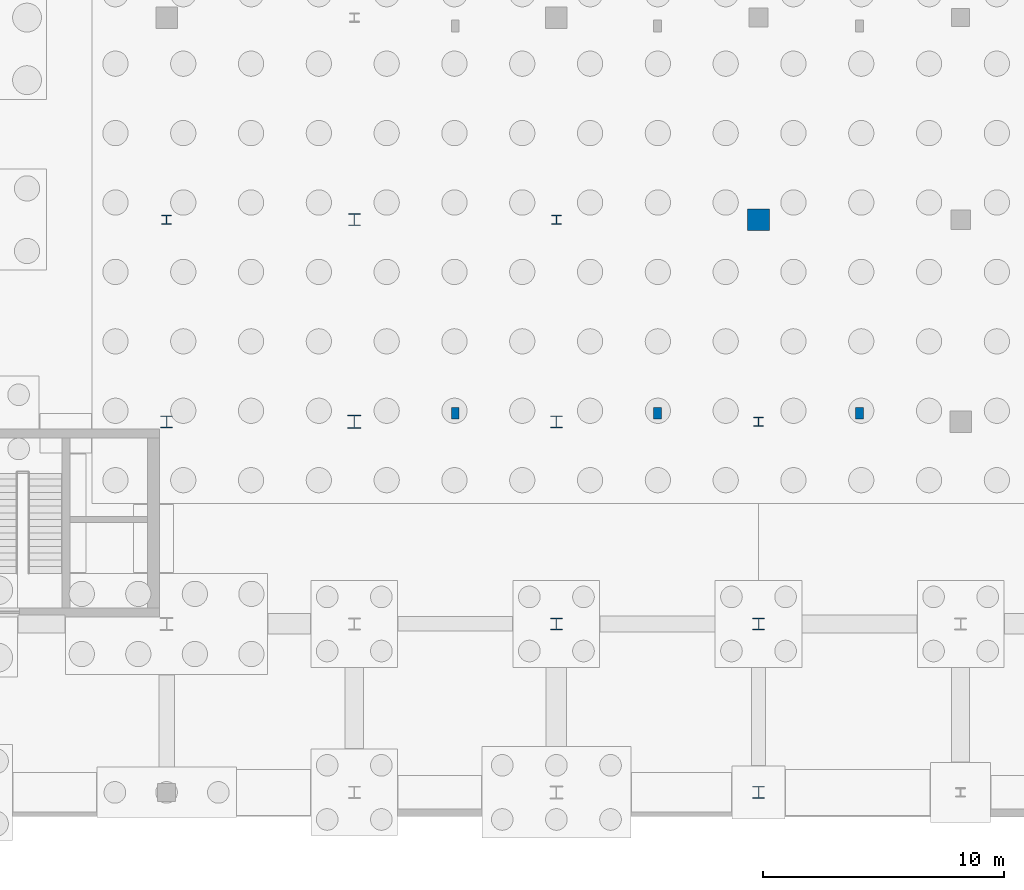
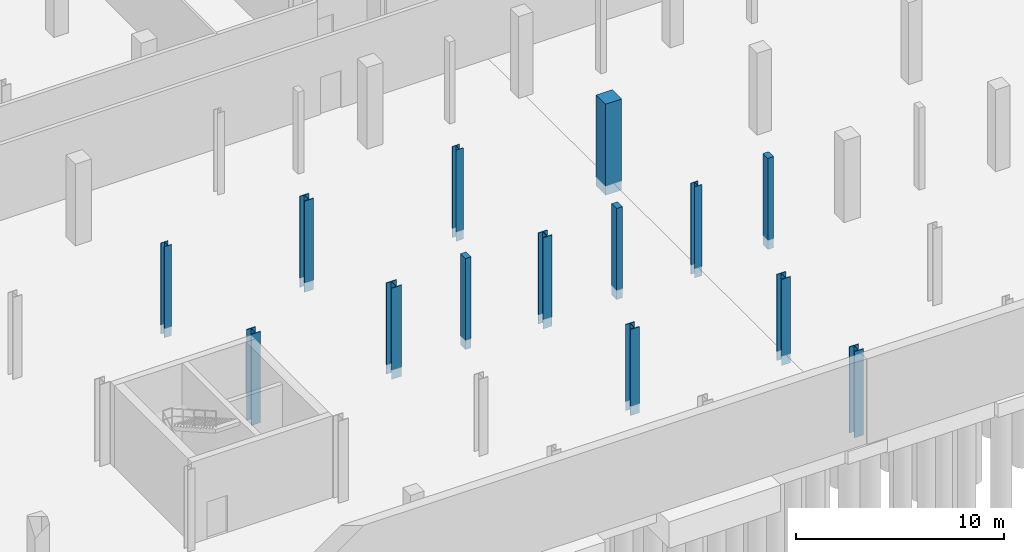
# One storey, part 11 of 32: 14 columns.
"""IFC4 building model written with IfcOpenShell, lengths in metres."""

from ifc_helpers import new_model, si_unit, direction, frame, origin_with_axes, origin_2d_with_axis, place, context, subcontext, project, spatial, rectangle, i_section, extrude, material, material_profile, profile_set, type_object, element, save


model = new_model("IFC4")

# Units and contexts
model_context = context("Model", 3, precision=1e-05, world=origin_with_axes(), true_north=direction((0.0, 1.0)))
body_context = subcontext(model_context, "Body", "Model", "MODEL_VIEW")
ifc_project = project(units=[si_unit("LENGTHUNIT", "METRE"), si_unit("AREAUNIT", "SQUARE_METRE"), si_unit("VOLUMEUNIT", "CUBIC_METRE"), si_unit("PLANEANGLEUNIT", "RADIAN"), si_unit("MASSUNIT", "GRAM", prefix="KILO"), si_unit("THERMODYNAMICTEMPERATUREUNIT", "KELVIN")], contexts=[model_context])

# Site, building, storey
site_placement = place(None, origin_with_axes())
site = spatial("IfcSite", under=ifc_project, at=site_placement, CompositionType="ELEMENT")
building_placement = place(site_placement, origin_with_axes())
building = spatial("IfcBuilding", under=site, at=building_placement, Name="Montbau Bow Law Courts", CompositionType="ELEMENT")
storey_placement = place(building_placement, frame((0.0, 0.0, -4.8), z_axis=(0.0, 0.0, 1.0), x_axis=(1.0, 0.0, 0.0)))
storey = spatial("IfcBuildingStorey", under=building, at=storey_placement, Name="B1", CompositionType="ELEMENT", Elevation=-4.8)

# Columns
ifc_material_1 = material(Name="Concrete CSA A23.1 f'c 40 MPa", Category="concrete")
ifc_material_profile_1 = material_profile(ifc_material_1, rectangle(XDim=0.32, YDim=0.48, at=origin_2d_with_axis()), Name="RC480X320", Category="Main", Priority=0)
ifc_profile_set_1 = profile_set([ifc_material_profile_1], Name="Concrete CSA A23.1 f'c 40 MPa")
column_type_1 = type_object("IfcColumnType", Name="C-PIL-02", PredefinedType="PILASTER", material=ifc_profile_set_1)
for number, where, z_axis, x_axis, name in (
    (1, (51.0, 22.55, -5.35), (0.0, 0.0, 1.0), (1.0, 0.0, 0.0), "PL-B1-S01:pil2_0001"),
    (2, (59.4, 22.55, -5.35), (0.0, 0.0, 1.0), (1.0, 0.0, 0.0), "PL-B1-S02:pil2_0004"),
    (3, (67.8, 22.55, -5.35), (0.0, 0.0, 1.0), (1.0, 0.0, 0.0), "PL-B1-S03:pil2_0007"),
):
    element("IfcColumn", number, at=place(None, frame(where, z_axis=z_axis, x_axis=x_axis)), inside=storey, type_object=column_type_1, Name=name, PredefinedType="PILASTER", context=body_context, shape_type="SweptSolid", body=[
        extrude(rectangle(XDim=0.32, YDim=0.48, at=origin_2d_with_axis()), origin_with_axes(), (0.0, 0.0, 1.0), 5.35),
    ])
ifc_material_2 = material(Name="Concrete CSA A23.1 f'c 45 MPa", Category="concrete")
ifc_material_profile_2 = material_profile(ifc_material_2, rectangle(XDim=0.9, YDim=0.9, at=origin_2d_with_axis()), Name="RC900X900", Category="Main", Priority=0)
ifc_profile_set_2 = profile_set([ifc_material_profile_2], Name="Concrete CSA A23.1 f'c 45 MPa")
column_type_2 = type_object("IfcColumnType", Name="C-RC-01", PredefinedType="COLUMN", material=ifc_profile_set_2)
column_1_placement = place(None, frame((63.6, 30.6, -5.35), z_axis=(0.0, 0.0, 1.0), x_axis=(1.0, 0.0, 0.0)))
element("IfcColumn", 4, at=column_1_placement, inside=storey, type_object=column_type_2, Name="C-B1-S051:col2_0051", PredefinedType="COLUMN", context=body_context, shape_type="SweptSolid", body=[
    extrude(rectangle(XDim=0.9, YDim=0.9, at=origin_2d_with_axis()), origin_with_axes(), (0.0, 0.0, 1.0), 5.35),
])
ifc_material_3 = material(Name="Steel CSA G40.21 Grade 350W (350 MPa)", Category="steel")
ifc_material_profile_3 = material_profile(ifc_material_3, i_section(OverallWidth=0.55, OverallDepth=0.55, WebThickness=0.025, FlangeThickness=0.042, at=origin_2d_with_axis()), Name="WWF550X420", Category="Main", Priority=0)
ifc_profile_set_3 = profile_set([ifc_material_profile_3], Name="Steel CSA G40.21 Grade 350W (350 MPa)")
column_type_3 = type_object("IfcColumnType", Name="C-STL-01", PredefinedType="COLUMN", material=ifc_profile_set_3)
column_2_placement = place(None, frame((46.8, 22.2, -5.35), z_axis=(0.0, 0.0, 1.0), x_axis=(1.0, 0.0, 0.0)))
element("IfcColumn", 5, at=column_2_placement, inside=storey, type_object=column_type_3, Name="C-B1-S036:col2_0036", PredefinedType="COLUMN", context=body_context, shape_type="SweptSolid", body=[
    extrude(i_section(OverallWidth=0.55, OverallDepth=0.55, WebThickness=0.025, FlangeThickness=0.042, at=origin_2d_with_axis()), origin_with_axes(), (0.0, 0.0, 1.0), 5.35),
])
ifc_material_profile_4 = material_profile(ifc_material_3, i_section(OverallWidth=0.5, OverallDepth=0.5, WebThickness=0.022, FlangeThickness=0.036, at=origin_2d_with_axis()), Name="WWF500X343", Category="Main", Priority=0)
ifc_profile_set_4 = profile_set([ifc_material_profile_4], Name="Steel CSA G40.21 Grade 350W (350 MPa)")
column_type_4 = type_object("IfcColumnType", Name="C-STL-02", PredefinedType="COLUMN", material=ifc_profile_set_4)
for number, where, z_axis, x_axis, name in (
    (6, (39.0, 22.2, -5.35), (0.0, 0.0, 1.0), (1.0, 0.0, 0.0), "C-B1-S031:col2_0031"),
    (7, (46.8, 30.6, -5.35), (0.0, 0.0, 1.0), (1.0, 0.0, 0.0), "C-B1-S037:col2_0037"),
    (8, (55.2, 22.2, -5.35), (0.0, 0.0, 1.0), (1.0, 0.0, 0.0), "C-B1-S043:col2_0043"),
):
    element("IfcColumn", number, at=place(None, frame(where, z_axis=z_axis, x_axis=x_axis)), inside=storey, type_object=column_type_4, Name=name, PredefinedType="COLUMN", context=body_context, shape_type="SweptSolid", body=[
        extrude(i_section(OverallWidth=0.5, OverallDepth=0.5, WebThickness=0.022, FlangeThickness=0.036, at=origin_2d_with_axis()), origin_with_axes(), (0.0, 0.0, 1.0), 5.35),
    ])
for number, where, z_axis, x_axis, name in (
    (9, (63.6, 6.8, -5.35), (0.0, 0.0, 1.0), (1.0, 0.0, 0.0), "C-B1-S049:col2_0049"),
    (10, (55.2, 13.8, -5.35), (0.0, 0.0, 1.0), (1.0, 0.0, 0.0), "C-PLZ-B1-07:col2_1110"),
    (11, (63.6, 13.8, -5.35), (0.0, 0.0, 1.0), (1.0, 0.0, 0.0), "C-PLZ-B1-08:col2_1111"),
):
    element("IfcColumn", number, at=place(None, frame(where, z_axis=z_axis, x_axis=x_axis)), inside=storey, type_object=column_type_4, Name=name, PredefinedType="COLUMN", context=body_context, shape_type="SweptSolid", body=[
        extrude(i_section(OverallWidth=0.5, OverallDepth=0.5, WebThickness=0.022, FlangeThickness=0.036, at=origin_2d_with_axis()), origin_with_axes(), (0.0, 0.0, 1.0), 5.06),
    ])
ifc_material_profile_5 = material_profile(ifc_material_3, i_section(OverallWidth=0.395, OverallDepth=0.38, WebThickness=0.0189, FlangeThickness=0.0302, at=origin_2d_with_axis()), Name="W360X237", Category="Main", Priority=0)
ifc_profile_set_5 = profile_set([ifc_material_profile_5], Name="Steel CSA G40.21 Grade 350W (350 MPa)")
column_type_5 = type_object("IfcColumnType", Name="C-STL-03", PredefinedType="COLUMN", material=ifc_profile_set_5)
for number, where, z_axis, x_axis, name in (
    (12, (39.0, 30.6, -5.35), (0.0, 0.0, 1.0), (1.0, 0.0, 0.0), "C-B1-S032:col2_0032"),
    (13, (55.2, 30.6, -5.35), (0.0, 0.0, 1.0), (1.0, 0.0, 0.0), "C-B1-S044:col2_0044"),
    (14, (63.6, 22.2, -5.35), (0.0, 0.0, 1.0), (1.0, 0.0, 0.0), "C-B1-S050:col2_0050"),
):
    element("IfcColumn", number, at=place(None, frame(where, z_axis=z_axis, x_axis=x_axis)), inside=storey, type_object=column_type_5, Name=name, PredefinedType="COLUMN", context=body_context, shape_type="SweptSolid", body=[
        extrude(i_section(OverallWidth=0.395, OverallDepth=0.38, WebThickness=0.0189, FlangeThickness=0.0302, at=origin_2d_with_axis()), origin_with_axes(), (0.0, 0.0, 1.0), 5.35),
    ])

save(model, "model.ifc")
